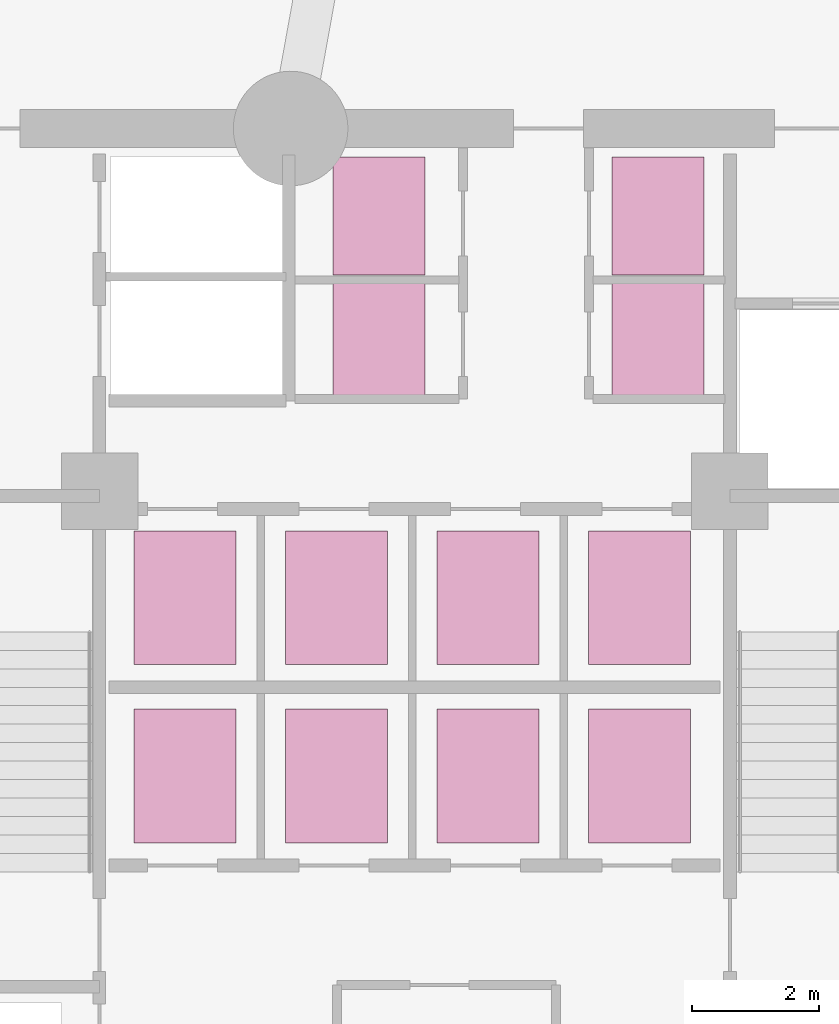
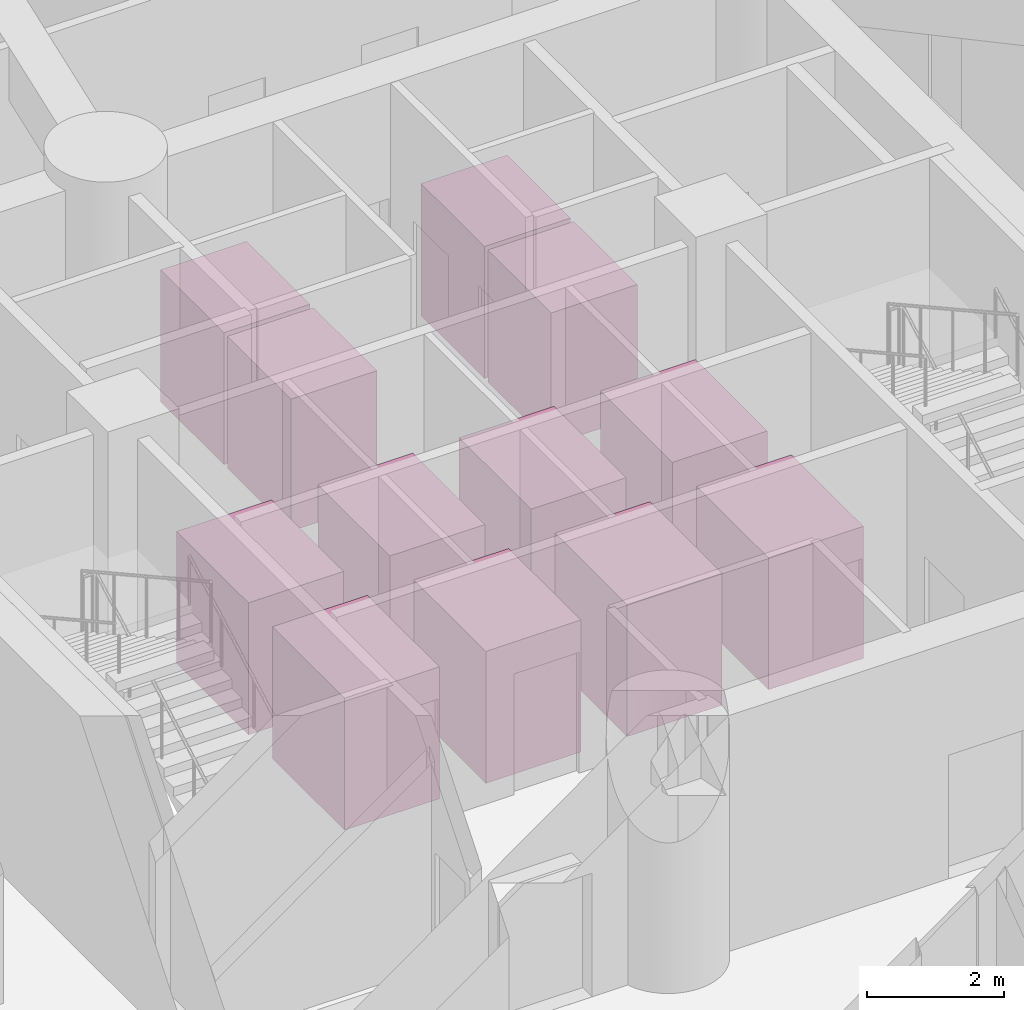
# One storey, part 30 of 30: 12 transport elements.
"""IFC4 building model written with IfcOpenShell, lengths in metres."""

from ifc_helpers import new_model, si_unit, direction, frame, origin, origin_with_axes, origin_2d, place, context, subcontext, project, spatial, rectangle, extrude, source, transform, mapped, material, type_object, element, save


model = new_model("IFC4")

# Units and contexts
model_context = context("Model", 3, precision=1e-05, world=origin(), true_north=direction((0.0, 1.0)))
body_context = subcontext(model_context, "Body", "Model", "MODEL_VIEW")
ifc_project = project(units=[si_unit("LENGTHUNIT", "METRE"), si_unit("AREAUNIT", "SQUARE_METRE"), si_unit("VOLUMEUNIT", "CUBIC_METRE"), si_unit("PLANEANGLEUNIT", "RADIAN"), si_unit("MASSUNIT", "GRAM", prefix="KILO")], contexts=[model_context])

# Site, building, storey
site_placement = place(None, origin())
site = spatial("IfcSite", under=ifc_project, at=site_placement, CompositionType="ELEMENT")
building_placement = place(site_placement, origin())
building = spatial("IfcBuilding", under=site, at=building_placement, Name="Karkom Vertical University and Central Library", CompositionType="ELEMENT")
storey_placement = place(building_placement, origin())
storey = spatial("IfcBuildingStorey", under=building, at=storey_placement, Name="L00", CompositionType="ELEMENT", Elevation=0.0)

# Transport elements
ifc_material = material(Name="Stainless-steel cab & traction gear", Category="steel")
transport_element_type_1 = type_object("IfcTransportElementType", Name="INT-LFT-PAX1600", PredefinedType="ELEVATOR", material=ifc_material)
shared_shape_1 = source(origin_with_axes(), body_context, "Body", "SweptSolid", [
    extrude(rectangle(XDim=1.60009765625, YDim=2.10009765625, at=origin_2d()), origin(), (0.0, 0.0, 1.0), 2.35009765625),
])
for number, where, z_axis, x_axis, name in (
    (1, (24.889892578125, 24.52490234375, 0.0), (0.0, 0.0, 1.0), (1.0, 0.0, 0.0), "Low-Rise Passenger Lift PL-1"),
    (2, (27.27001953125, 24.52490234375, 0.0), (0.0, 0.0, 1.0), (1.0, 0.0, 0.0), "Low-Rise Passenger Lift PL-2"),
    (3, (29.64990234375, 24.52490234375, 0.0), (0.0, 0.0, 1.0), (1.0, 0.0, 0.0), "Low-Rise Passenger Lift PL-3"),
    (4, (32.030029296875, 24.52490234375, 0.0), (0.0, 0.0, 1.0), (1.0, 0.0, 0.0), "Low-Rise Passenger Lift PL-4"),
    (5, (24.889892578125, 27.324951171875, 0.0), (0.0, 0.0, 1.0), (1.0, 0.0, 0.0), "Mid-Rise Passenger Lift PM-1"),
    (6, (27.27001953125, 27.324951171875, 0.0), (0.0, 0.0, 1.0), (1.0, 0.0, 0.0), "Mid-Rise Passenger Lift PM-2"),
    (7, (29.64990234375, 27.324951171875, 0.0), (0.0, 0.0, 1.0), (1.0, 0.0, 0.0), "Mid-Rise Passenger Lift PM-3"),
    (8, (32.030029296875, 27.324951171875, 0.0), (0.0, 0.0, 1.0), (1.0, 0.0, 0.0), "Mid-Rise Passenger Lift PM-4"),
):
    element("IfcTransportElement", number, at=place(storey_placement, frame(where, z_axis=z_axis, x_axis=x_axis)), inside=storey, type_object=transport_element_type_1, Name=name, PredefinedType="ELEVATOR", context=body_context, shape_type="MappedRepresentation", body=[
        mapped(shared_shape_1, transform((0.0, 0.0, 0.0), scale=1.0)),
    ])
transport_element_type_2 = type_object("IfcTransportElementType", Name="INT-LFT-PH1350", PredefinedType="ELEVATOR", material=ifc_material)
shared_shape_2 = source(origin_with_axes(), body_context, "Body", "SweptSolid", [
    extrude(rectangle(XDim=1.449951171875, YDim=1.85009765625, at=origin_2d()), origin(), (0.0, 0.0, 1.0), 2.35009765625),
])
for number, where, z_axis, x_axis, name in (
    (9, (27.93994140625, 31.375, 0.0), (0.0, 0.0, 1.0), (1.0, 0.0, 0.0), "High-Rise Passenger Lift PH-1"),
    (10, (27.93994140625, 33.324951171875, 0.0), (0.0, 0.0, 1.0), (1.0, 0.0, 0.0), "High-Rise Passenger Lift PH-2"),
    (11, (32.324951171875, 31.375, 0.0), (0.0, 0.0, 1.0), (1.0, 0.0, 0.0), "High-Rise Passenger Lift PH-3"),
    (12, (32.324951171875, 33.324951171875, 0.0), (0.0, 0.0, 1.0), (1.0, 0.0, 0.0), "High-Rise Passenger Lift PH-4"),
):
    element("IfcTransportElement", number, at=place(storey_placement, frame(where, z_axis=z_axis, x_axis=x_axis)), inside=storey, type_object=transport_element_type_2, Name=name, PredefinedType="ELEVATOR", context=body_context, shape_type="MappedRepresentation", body=[
        mapped(shared_shape_2, transform((0.0, 0.0, 0.0), scale=1.0)),
    ])

save(model, "model.ifc")
